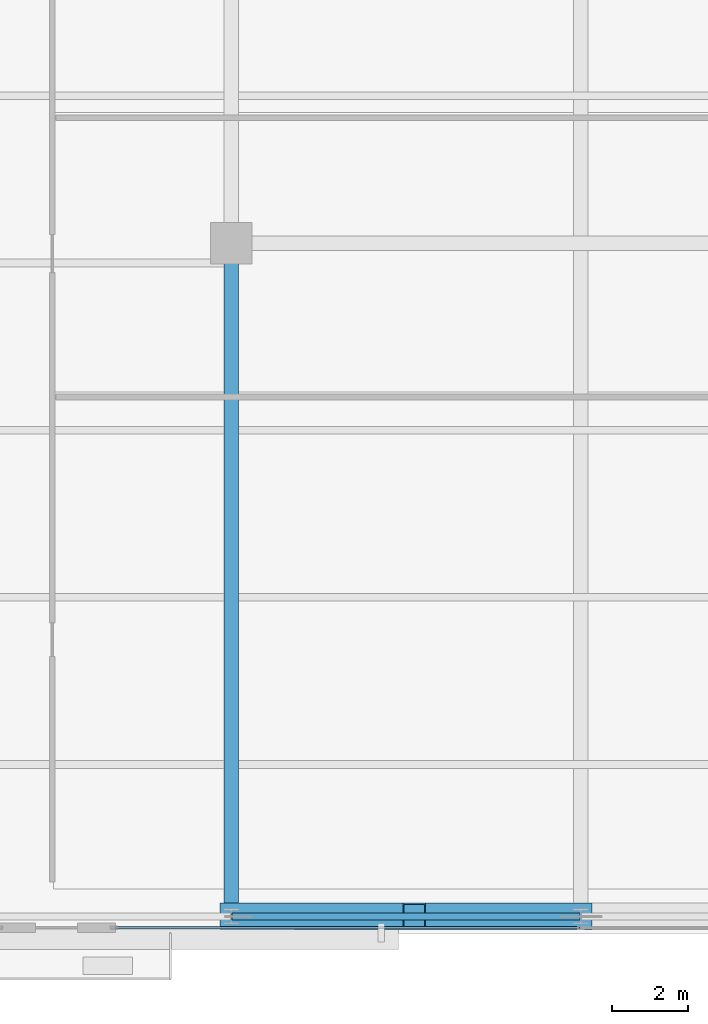
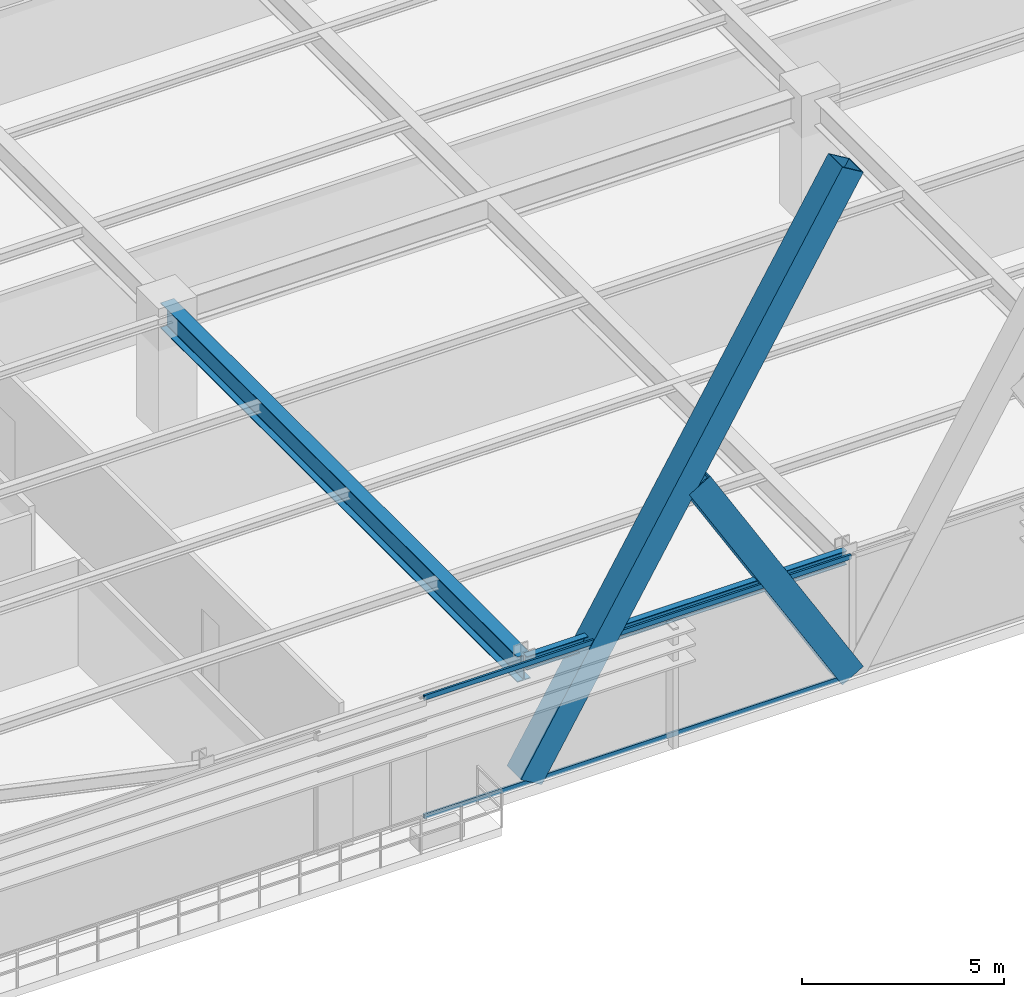
# One storey, part 6 of 34: 4 members, 2 beams, 1 element without a shape of its own.
"""IFC4 building model written with IfcOpenShell, lengths in metres."""

import ifcopenshell
import ifcopenshell.guid

model = None  # the IFC model being written
_history = None  # IfcOwnerHistory: only IFC2X3 demands one
_inside = {}  # id of a spatial element -> (the spatial element, [elements in it])
_under = {}  # id of a project, library or spatial element -> (it, [spatial elements below it])
_declared = {}  # id of a project -> (the project, [libraries it declares])
_typed = {}  # id of a type object -> (the type object, [elements of that type])
_made_of = {}  # id of a material, layer set ... -> (it, [elements and type objects made of it])


def new_model(schema):
    """Start an empty IFC model of exactly this schema.

    Asked for "IFC4X3", IfcOpenShell would pick the latest addendum, in which some entities
    have other attributes; the version numbers below select the first issue.
    IFC2X3 requires an IfcOwnerHistory on every rooted entity: one is made here for all.
    """
    global model, _history
    if schema == "IFC4X3":
        model = ifcopenshell.file(schema_version=(4, 3, 0, 0))
    else:
        model = ifcopenshell.file(schema=schema)
    _inside.clear()
    _under.clear()
    _declared.clear()
    _typed.clear()
    _made_of.clear()
    _history = None
    if model.schema == "IFC2X3":
        org = make("IfcOrganization", Name="unknown")
        user = make(
            "IfcPersonAndOrganization",
            ThePerson=make("IfcPerson", FamilyName="unknown"),
            TheOrganization=org,
        )
        app = make(
            "IfcApplication",
            ApplicationDeveloper=org,
            Version="unknown",
            ApplicationFullName="unknown",
            ApplicationIdentifier="unknown",
        )
        _history = make(
            "IfcOwnerHistory",
            OwningUser=user,
            OwningApplication=app,
            ChangeAction="ADDED",
            CreationDate=0,
        )
    return model


def make(cls, **values):
    """One entity of the class cls with the attributes given. An attribute that is None is left unset."""
    return model.create_entity(
        cls, **{name: value for name, value in values.items() if value is not None}
    )


def rooted(cls, **values):
    """An entity with a GlobalId (a new one), such as an element, a storey or a relation."""
    return make(cls, GlobalId=ifcopenshell.guid.new(), OwnerHistory=_history, **values)


def si_unit(unit_type, name, prefix=None):
    """IfcSIUnit, for example si_unit("LENGTHUNIT", "METRE", prefix="MILLI")."""
    return make("IfcSIUnit", UnitType=unit_type, Prefix=prefix, Name=name)


def assignment(units):
    """IfcUnitAssignment: the units of a project."""
    return None if units is None else make("IfcUnitAssignment", Units=units)


def point(xyz):
    """IfcCartesianPoint."""
    return None if xyz is None else make("IfcCartesianPoint", Coordinates=xyz)


def direction(xyz):
    """IfcDirection."""
    return None if xyz is None else make("IfcDirection", DirectionRatios=xyz)


def frame(location, z_axis=None, x_axis=None):
    """IfcAxis2Placement3D, a coordinate frame: its origin and axes. An axis left out is left unset."""
    return make(
        "IfcAxis2Placement3D",
        Location=point(location),
        Axis=direction(z_axis),
        RefDirection=direction(x_axis),
    )


def frame_2d(location, x_axis=None):
    """IfcAxis2Placement2D, a coordinate frame in the plane: its origin and x axis."""
    return make(
        "IfcAxis2Placement2D", Location=point(location), RefDirection=direction(x_axis)
    )


def origin():
    """The frame at (0, 0, 0) with its axes left unset."""
    return frame((0.0, 0.0, 0.0))


def origin_2d():
    """The frame at (0, 0) in the plane with its x axis left unset."""
    return frame_2d((0.0, 0.0))


def place(relative_to, where):
    """IfcLocalPlacement: puts the frame where relative to a parent placement (None: the world)."""
    return make(
        "IfcLocalPlacement", PlacementRelTo=relative_to, RelativePlacement=where
    )


def context(
    kind, dimensions, precision=None, world=None, true_north=None, identifier=None
):
    """IfcGeometricRepresentationContext, for example the 3D "Model" context."""
    return make(
        "IfcGeometricRepresentationContext",
        ContextIdentifier=identifier,
        ContextType=kind,
        CoordinateSpaceDimension=dimensions,
        Precision=precision,
        WorldCoordinateSystem=world,
        TrueNorth=true_north,
    )


def subcontext(parent, identifier, kind, view, scale=None):
    """IfcGeometricRepresentationSubContext, for example "Body" below "Model"."""
    return make(
        "IfcGeometricRepresentationSubContext",
        ContextIdentifier=identifier,
        ContextType=kind,
        ParentContext=parent,
        TargetScale=scale,
        TargetView=view,
    )


def project(units=None, contexts=None):
    """IfcProject with its units and contexts."""
    return rooted(
        "IfcProject",
        Name="project",
        RepresentationContexts=contexts,
        UnitsInContext=assignment(units),
    )


def spatial(cls, under=None, at=None, **own):
    """A site, building, storey or space (cls), placed at a placement, below another one or the project."""
    s = rooted(cls, ObjectPlacement=at, **own)
    if under is not None:
        _under.setdefault(under.id(), (under, []))[1].append(s)
    return s


def profile(cls, at=None, kind="AREA", **sizes):
    """A parametric profile (cls). Its sizes go by their IFC names, for example OverallWidth=200.0."""
    return make(cls, ProfileType=kind, Position=at, **sizes)


def hollow_rectangle(**sizes):
    """IfcRectangleHollowProfileDef."""
    return profile("IfcRectangleHollowProfileDef", **sizes)


def i_section(**sizes):
    """IfcIShapeProfileDef."""
    return profile("IfcIShapeProfileDef", **sizes)


def extrude(swept, where, along, depth):
    """IfcExtrudedAreaSolid: the profile swept, set in the frame where, extruded along a direction by depth."""
    return make(
        "IfcExtrudedAreaSolid",
        SweptArea=swept,
        Position=where,
        ExtrudedDirection=direction(along),
        Depth=depth,
    )


def shape(context_of_items, identifier, shape_type, items):
    """IfcShapeRepresentation: the items that make up one representation, for example the "Body"."""
    return make(
        "IfcShapeRepresentation",
        ContextOfItems=context_of_items,
        RepresentationIdentifier=identifier,
        RepresentationType=shape_type,
        Items=items,
    )


def source(mapping_origin, context_of_items, identifier, shape_type, items):
    """IfcRepresentationMap: a shape defined once, which mapped items show again and again."""
    return make(
        "IfcRepresentationMap",
        MappingOrigin=mapping_origin,
        MappedRepresentation=shape(context_of_items, identifier, shape_type, items),
    )


def transform(
    local_origin,
    x_axis=None,
    y_axis=None,
    z_axis=None,
    scale=None,
    scale2=None,
    scale3=None,
    uniform=True,
):
    """IfcCartesianTransformationOperator3D, or its non-uniform kind. x_axis, y_axis, z_axis: its Axis1, 2, 3."""
    if uniform:
        return make(
            "IfcCartesianTransformationOperator3D",
            Axis1=direction(x_axis),
            Axis2=direction(y_axis),
            LocalOrigin=point(local_origin),
            Scale=scale,
            Axis3=direction(z_axis),
        )
    return make(
        "IfcCartesianTransformationOperator3DnonUniform",
        Axis1=direction(x_axis),
        Axis2=direction(y_axis),
        LocalOrigin=point(local_origin),
        Scale=scale,
        Axis3=direction(z_axis),
        Scale2=scale2,
        Scale3=scale3,
    )


def mapped(mapping_source, mapping_target):
    """IfcMappedItem: shows the shape of a source again, moved by a transform."""
    return make(
        "IfcMappedItem", MappingSource=mapping_source, MappingTarget=mapping_target
    )


def material(Name=None, Category=None):
    """IfcMaterial."""
    return make("IfcMaterial", Name=Name, Category=Category)


def layer(
    of_material, thickness, ventilated=None, Name=None, Category=None, Priority=None
):
    """IfcMaterialLayer: one layer of a wall or slab, of a material (None: an air gap)."""
    return make(
        "IfcMaterialLayer",
        Material=of_material,
        LayerThickness=thickness,
        IsVentilated=ventilated,
        Name=Name,
        Category=Category,
        Priority=Priority,
    )


def layer_set(layers, Name=None):
    """IfcMaterialLayerSet."""
    return make("IfcMaterialLayerSet", MaterialLayers=layers, LayerSetName=Name)


def material_profile(
    of_material, cross_section, Name=None, Category=None, Priority=None
):
    """IfcMaterialProfile: a cross section and its material."""
    return make(
        "IfcMaterialProfile",
        Name=Name,
        Material=of_material,
        Profile=cross_section,
        Priority=Priority,
        Category=Category,
    )


def profile_set(profiles, Name=None, composite=None):
    """IfcMaterialProfileSet."""
    return make(
        "IfcMaterialProfileSet",
        Name=Name,
        MaterialProfiles=profiles,
        CompositeProfile=composite,
    )


def made_of(thing, what):
    """Note that an element or type object is made of a material, layer set ...; save() writes the relation."""
    if what is not None:
        _made_of.setdefault(what.id(), (what, []))[1].append(thing)
    return thing


def type_object(cls, material=None, **own):
    """A type object (cls), such as IfcWallType, which elements share."""
    return made_of(rooted(cls, **own), material)


def type_shapes(of_type, sources):
    """Give a type object the sources (RepresentationMaps) that its elements show as mapped items."""
    of_type.RepresentationMaps = sources


def element(
    cls,
    number,
    at=None,
    inside=None,
    cuts=None,
    type_object=None,
    material=None,
    context=None,
    identifier="Body",
    shape_type=None,
    held_by="IfcProductDefinitionShape",
    body=None,
    shapes=None,
    **own,
):
    """One element of the class cls, such as IfcWall. Its Tag is "e" and its number.

    at: its placement. inside: the storey or other place that contains it. cuts: it is an
    opening in that element (IfcRelVoidsElement). A single representation is given by context,
    identifier, shape_type and body (its items); several are given by shapes. held_by: the class
    of the entity that holds the representations. save() writes the other relations.
    """
    e = rooted(cls, Tag="e%d" % number, ObjectPlacement=at, **own)
    if body is not None:
        shapes = [shape(context, identifier, shape_type, body)]
    if shapes is not None:
        e.Representation = make(held_by, Representations=shapes)
    if inside is not None:
        _inside.setdefault(inside.id(), (inside, []))[1].append(e)
    if cuts is not None:
        rooted(
            "IfcRelVoidsElement", RelatingBuildingElement=cuts, RelatedOpeningElement=e
        )
    if type_object is not None:
        _typed.setdefault(type_object.id(), (type_object, []))[1].append(e)
    return made_of(e, material)


def aggregate(whole, parts):
    """IfcRelAggregates: a whole, such as a stair, and the parts it consists of."""
    return rooted("IfcRelAggregates", RelatingObject=whole, RelatedObjects=parts)


def save(model, path):
    """Write the relations noted so far, then the file.

    IfcRelAggregates (storeys below a building ...), IfcRelContainedInSpatialStructure (elements
    in a storey), IfcRelDefinesByType, IfcRelAssociatesMaterial and IfcRelDeclares: one each for
    every whole, place, type object, material and project.
    """
    for whole, parts in _under.values():
        aggregate(whole, parts)
    for where, things in _inside.values():
        rooted(
            "IfcRelContainedInSpatialStructure",
            RelatedElements=things,
            RelatingStructure=where,
        )
    for kind, things in _typed.values():
        rooted("IfcRelDefinesByType", RelatedObjects=things, RelatingType=kind)
    for what, things in _made_of.values():
        rooted("IfcRelAssociatesMaterial", RelatedObjects=things, RelatingMaterial=what)
    for by, libraries in _declared.values():
        rooted("IfcRelDeclares", RelatingContext=by, RelatedDefinitions=libraries)
    model.write(path)


model = new_model("IFC4")

# Units and contexts
model_context = context("Model", 3, precision=1e-05, world=origin(), true_north=direction((0.0, 1.0)))
body_context = subcontext(model_context, "Body", "Model", "MODEL_VIEW")
ifc_project = project(units=[si_unit("LENGTHUNIT", "METRE"), si_unit("AREAUNIT", "SQUARE_METRE"), si_unit("VOLUMEUNIT", "CUBIC_METRE"), si_unit("PLANEANGLEUNIT", "RADIAN"), si_unit("MASSUNIT", "GRAM", prefix="KILO")], contexts=[model_context])

# Site, building, storey
site_placement = place(None, origin())
site = spatial("IfcSite", under=ifc_project, at=site_placement, CompositionType="ELEMENT")
building_placement = place(site_placement, origin())
building = spatial("IfcBuilding", under=site, at=building_placement, Name="Varnel Quay Broadcast Tower", CompositionType="ELEMENT")
storey_placement = place(building_placement, frame((0.0, 0.0, 27.60009765625)))
storey = spatial("IfcBuildingStorey", under=building, at=storey_placement, Name="L05", CompositionType="ELEMENT", Elevation=27.60009765625)

# Beams
ifc_material_1 = material(Name="Structural Steel CSA G40.21 350W", Category="steel")
ifc_material_profile_1 = material_profile(ifc_material_1, i_section(OverallWidth=0.180908203125, OverallDepth=0.4169921875, WebThickness=0.010986328125, FlangeThickness=0.018310546875, FilletRadius=0.011962890625, at=origin_2d()), Name="W410X85")
ifc_profile_set_1 = profile_set([ifc_material_profile_1], Name="Structural Steel CSA G40.21 350W")
beam_type_1 = type_object("IfcBeamType", Name="Beam_W410X85", PredefinedType="SPANDREL", material=ifc_profile_set_1)
shared_shape_1 = source(origin(), body_context, "Body", "SweptSolid", [
    extrude(i_section(OverallWidth=0.180908203125, OverallDepth=0.4169921875, WebThickness=0.010986328125, FlangeThickness=0.018310546875, FilletRadius=0.011962890625, at=origin_2d()), origin(), (0.0, 0.0, 1.0), 9.159912109375),
])
type_shapes(beam_type_1, [shared_shape_1])
beam_1_placement = place(storey_placement, frame((24.820068359375, 1.64990234375, 3.44140625), z_axis=(1.0, 0.0, 0.0), x_axis=(0.0, 1.0, 0.0)))
element("IfcBeam", 1, at=beam_1_placement, inside=storey, type_object=beam_type_1, Name="L05 South Spandrel TC-S2-TC-S3", PredefinedType="SPANDREL", context=body_context, shape_type="MappedRepresentation", body=[
    mapped(shared_shape_1, transform((0.0, 0.0, 0.0), x_axis=(1.0, 0.0, 0.0), y_axis=(0.0, 1.0, 0.0), z_axis=(0.0, 0.0, 1.0), scale=1.0)),
])
ifc_material_profile_2 = material_profile(ifc_material_1, i_section(OverallWidth=0.381103515625, OverallDepth=0.77294921875, WebThickness=0.0166015625, FlangeThickness=0.027587890625, FilletRadius=0.01806640625, at=origin_2d()), Name="W760X257")
ifc_profile_set_2 = profile_set([ifc_material_profile_2], Name="Structural Steel CSA G40.21 350W")
beam_type_2 = type_object("IfcBeamType", Name="Girder_W760X257", PredefinedType="BEAM", material=ifc_profile_set_2)
shared_shape_2 = source(origin(), body_context, "Body", "SweptSolid", [
    extrude(i_section(OverallWidth=0.381103515625, OverallDepth=0.77294921875, WebThickness=0.0166015625, FlangeThickness=0.027587890625, FilletRadius=0.01806640625, at=origin_2d()), origin(), (0.0, 0.0, 1.0), 17.68017578125),
])
type_shapes(beam_type_2, [shared_shape_2])
beam_2_placement = place(storey_placement, frame((24.800048828125, 1.669921875, 3.263427734375), z_axis=(0.0, 1.0, 0.0), x_axis=(-1.0, 0.0, 0.0)))
element("IfcBeam", 2, at=beam_2_placement, inside=storey, type_object=beam_type_2, Name="L05 Primary Girder TC-S2-IC-01", PredefinedType="BEAM", context=body_context, shape_type="MappedRepresentation", body=[
    mapped(shared_shape_2, transform((0.0, 0.0, 0.0), x_axis=(1.0, 0.0, 0.0), y_axis=(0.0, 1.0, 0.0), z_axis=(0.0, 0.0, 1.0), scale=1.0)),
])

# Members
ifc_material_2 = material(Name="Structural Steel CSA G40.21 350WT", Category="steel")
ifc_material_profile_3 = material_profile(ifc_material_2, hollow_rectangle(XDim=0.699951171875, YDim=0.699951171875, WallThickness=0.031982421875, at=origin_2d()), Name="BOX700X700X32")
ifc_profile_set_3 = profile_set([ifc_material_profile_3], Name="Structural Steel CSA G40.21 350WT")
member_type_1 = type_object("IfcMemberType", Name="Brace_BOX700X700X32", PredefinedType="BRACE", material=ifc_profile_set_3)
shared_shape_3 = source(origin(), body_context, "Body", "SweptSolid", [
    extrude(hollow_rectangle(XDim=0.699951171875, YDim=0.699951171875, WallThickness=0.031982421875, at=origin_2d()), origin(), (0.0, 0.0, 1.0), 17.861328125),
])
member_1_placement = place(storey_placement, frame((24.800048828125, 1.64990234375, 0.02001953125), z_axis=(0.515074544367, 0.0, 0.857145386586), x_axis=(0.0, 1.0, 0.0)))
element("IfcMember", 3, at=member_1_placement, inside=storey, type_object=member_type_1, Name="Zone 1 Mega-Brace S-C1T1 Continuous Diag A", PredefinedType="BRACE", context=body_context, shape_type="MappedRepresentation", body=[
    mapped(shared_shape_3, transform((0.0, 0.0, 0.0), x_axis=(1.0, 0.0, 0.0), y_axis=(0.0, 1.0, 0.0), z_axis=(0.0, 0.0, 1.0), scale=1.0)),
])
shared_shape_4 = source(origin(), body_context, "Body", "SweptSolid", [
    extrude(hollow_rectangle(XDim=0.699951171875, YDim=0.699951171875, WallThickness=0.031982421875, at=origin_2d()), origin(), (0.0, 0.0, 1.0), 8.50927734375),
])
type_shapes(member_type_1, [shared_shape_3, shared_shape_4])
member_2_placement = place(storey_placement, frame((34.0, 1.64990234375, 0.02001953125), z_axis=(-0.515065247535, 0.0, 0.857150973156), x_axis=(0.0, -1.0, 0.0)))
element("IfcMember", 4, at=member_2_placement, inside=storey, type_object=member_type_1, Name="Zone 1 Mega-Brace S-C1T1 Split Diag B1", PredefinedType="BRACE", context=body_context, shape_type="MappedRepresentation", body=[
    mapped(shared_shape_4, transform((0.0, 0.0, 0.0), x_axis=(1.0, 0.0, 0.0), y_axis=(0.0, 1.0, 0.0), z_axis=(0.0, 0.0, 1.0), scale=1.0)),
])

# Curtain wall, members
ifc_material_3 = material(Name="Anodised Bronze Aluminium 6063-T6", Category="aluminium")
ifc_layer = layer(ifc_material_3, 0.18994140625, Name="Anodised Bronze Aluminium 6063-T6")
ifc_layer_set = layer_set([ifc_layer], Name="Anodised Bronze Aluminium 6063-T6")
curtain_wall_type = type_object("IfcCurtainWallType", Name="CW_LowerTower", PredefinedType="NOTDEFINED", material=ifc_layer_set)
curtain_wall_placement = place(storey_placement, origin())
curtain_wall = element("IfcCurtainWall", 5, at=curtain_wall_placement, inside=storey, type_object=curtain_wall_type, Name="L05 South Unitised Curtain Wall 2", PredefinedType="NOTDEFINED")
ifc_material_profile_4 = material_profile(ifc_material_3, hollow_rectangle(XDim=0.06005859375, YDim=0.14501953125, WallThickness=0.00341796875, at=origin_2d()), Name="ALU60X145X3.5")
ifc_profile_set_4 = profile_set([ifc_material_profile_4], Name="Anodised Bronze Aluminium 6063-T6")
member_type_2 = type_object("IfcMemberType", Name="Tran_CWS-02", PredefinedType="USERDEFINED", material=ifc_profile_set_4)
shared_shape_5 = source(origin(), body_context, "Body", "SweptSolid", [
    extrude(hollow_rectangle(XDim=0.06005859375, YDim=0.14501953125, WallThickness=0.00341796875, at=origin_2d()), origin(), (0.0, 0.0, 1.0), 12.215087890625),
])
type_shapes(member_type_2, [shared_shape_5])
member_3_placement = place(storey_placement, frame((21.75, 1.35009765625, 0.02978515625), z_axis=(1.0, 0.0, 0.0), x_axis=(0.0, 1.0, 0.0)))
member_3 = element("IfcMember", 6, at=member_3_placement, type_object=member_type_2, Name="CWS-02 transom 1.1", ObjectType="TRANSOM", PredefinedType="USERDEFINED", context=body_context, shape_type="MappedRepresentation", body=[
    mapped(shared_shape_5, transform((0.0, 0.0, 0.0), x_axis=(1.0, 0.0, 0.0), y_axis=(0.0, 1.0, 0.0), z_axis=(0.0, 0.0, 1.0), scale=1.0)),
])
member_4_placement = place(storey_placement, frame((21.75, 1.35009765625, 3.619873046875), z_axis=(1.0, 0.0, 0.0), x_axis=(0.0, 1.0, 0.0)))
member_4 = element("IfcMember", 7, at=member_4_placement, type_object=member_type_2, Name="CWS-02 transom 1.2", ObjectType="TRANSOM", PredefinedType="USERDEFINED", context=body_context, shape_type="MappedRepresentation", body=[
    mapped(shared_shape_5, transform((0.0, 0.0, 0.0), x_axis=(1.0, 0.0, 0.0), y_axis=(0.0, 1.0, 0.0), z_axis=(0.0, 0.0, 1.0), scale=1.0)),
])
aggregate(curtain_wall, [member_3, member_4])

save(model, "model.ifc")
